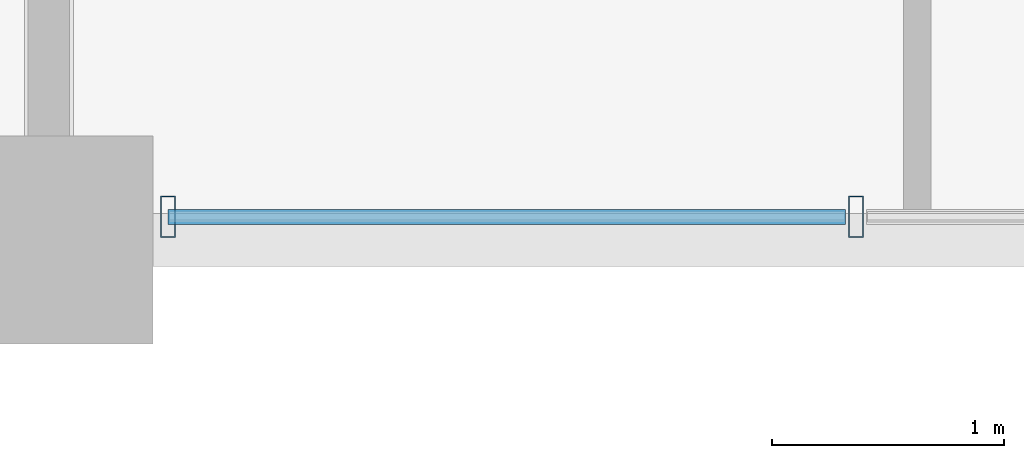
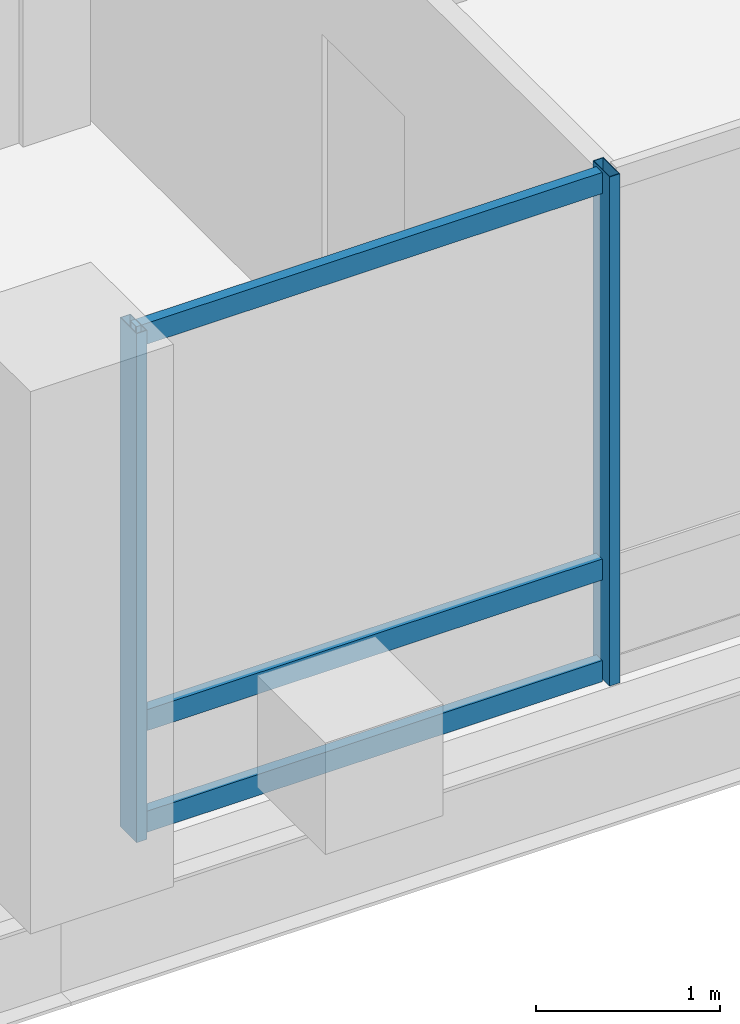
# One storey, part 2 of 21: 5 members, 1 element without a shape of its own.
"""IFC4 building model written with IfcOpenShell, lengths in metres."""

from ifc_helpers import new_model, si_unit, direction, frame, origin, origin_2d, place, context, subcontext, project, spatial, hollow_rectangle, extrude, material, layer, layer_set, material_profile, profile_set, type_object, element, aggregate, save


model = new_model("IFC4")

# Units and contexts
model_context = context("Model", 3, precision=1e-05, world=origin(), true_north=direction((0.0, 1.0)))
body_context = subcontext(model_context, "Body", "Model", "MODEL_VIEW")
ifc_project = project(units=[si_unit("LENGTHUNIT", "METRE"), si_unit("AREAUNIT", "SQUARE_METRE"), si_unit("VOLUMEUNIT", "CUBIC_METRE"), si_unit("PLANEANGLEUNIT", "RADIAN"), si_unit("MASSUNIT", "GRAM", prefix="KILO")], contexts=[model_context])

# Site, building, storey
site_placement = place(None, origin())
site = spatial("IfcSite", under=ifc_project, at=site_placement, CompositionType="ELEMENT")
building_placement = place(site_placement, origin())
building = spatial("IfcBuilding", under=site, at=building_placement, Name="Barlavira Tower and Art Museum", CompositionType="ELEMENT")
storey_placement = place(building_placement, frame((0.0, 0.0, 297.89990234375)))
storey = spatial("IfcBuildingStorey", under=building, at=storey_placement, Name="L78", CompositionType="ELEMENT", Elevation=297.89990234375)

# Curtain wall, members
ifc_material_1 = material(Name="Low-iron coastal laminated glass", Category="glass")
ifc_layer = layer(ifc_material_1, 0.2099609375, Name="Low-iron coastal laminated glass")
ifc_layer_set = layer_set([ifc_layer], Name="Low-iron coastal laminated glass")
curtain_wall_type = type_object("IfcCurtainWallType", Name="Pale-Metal Unitised Curtain Wall Zone 4", PredefinedType="NOTDEFINED", material=ifc_layer_set)
curtain_wall_placement = place(storey_placement, origin())
curtain_wall = element("IfcCurtainWall", 1, at=curtain_wall_placement, inside=storey, type_object=curtain_wall_type, Name="L78 Curtain Wall CW4-L78-S-B2", PredefinedType="NOTDEFINED")
ifc_material_2 = material(Name="Pale anodised aluminium", Category="aluminium")
ifc_material_profile_1 = material_profile(ifc_material_2, hollow_rectangle(XDim=0.06494140625, YDim=0.179931640625, WallThickness=0.00390625, at=origin_2d()), Name="ALU-MULL 65x180x4")
ifc_profile_set_1 = profile_set([ifc_material_profile_1], Name="Pale anodised aluminium")
member_type_1 = type_object("IfcMemberType", Name="Curtain Wall Pale-Metal Mullion 65x180", PredefinedType="MULLION", material=ifc_profile_set_1)
member_1_placement = place(storey_placement, frame((-5.985107421875, -19.89990234375, 0.0), z_axis=(0.0, 0.0, 1.0), x_axis=(1.0, 0.0, 0.0)))
member_1 = element("IfcMember", 2, at=member_1_placement, type_object=member_type_1, Name="CW4-L78-S-B2 Mullion 0", PredefinedType="MULLION", context=body_context, shape_type="SweptSolid", body=[
    extrude(hollow_rectangle(XDim=0.06494140625, YDim=0.179931640625, WallThickness=0.00390625, at=origin_2d()), origin(), (0.0, 0.0, 1.0), 3.380126953125),
])
member_2_placement = place(storey_placement, frame((-3.014892578125, -19.89990234375, 0.0), z_axis=(0.0, 0.0, 1.0), x_axis=(1.0, 0.0, 0.0)))
member_2 = element("IfcMember", 3, at=member_2_placement, type_object=member_type_1, Name="CW4-L78-S-B2 Mullion 1", PredefinedType="MULLION", context=body_context, shape_type="SweptSolid", body=[
    extrude(hollow_rectangle(XDim=0.06494140625, YDim=0.179931640625, WallThickness=0.00390625, at=origin_2d()), origin(), (0.0, 0.0, 1.0), 3.380126953125),
])
ifc_material_profile_2 = material_profile(ifc_material_2, hollow_rectangle(XDim=0.06494140625, YDim=0.139892578125, WallThickness=0.00390625, at=origin_2d()), Name="ALU-TRAN 65x140x4")
ifc_profile_set_2 = profile_set([ifc_material_profile_2], Name="Pale anodised aluminium")
member_type_2 = type_object("IfcMemberType", Name="Curtain Wall Pale-Metal Transom 65x140", PredefinedType="USERDEFINED", material=ifc_profile_set_2)
member_3_placement = place(storey_placement, frame((-5.985107421875, -19.89990234375, 0.070068359375), z_axis=(1.0, 0.0, 0.0), x_axis=(0.0, 1.0, 0.0)))
member_3 = element("IfcMember", 4, at=member_3_placement, type_object=member_type_2, Name="CW4-L78-S-B2 Transom 0.1", ObjectType="TRANSOM", PredefinedType="USERDEFINED", context=body_context, shape_type="SweptSolid", body=[
    extrude(hollow_rectangle(XDim=0.06494140625, YDim=0.139892578125, WallThickness=0.00390625, at=origin_2d()), origin(), (0.0, 0.0, 1.0), 2.925048828125),
])
member_4_placement = place(storey_placement, frame((-5.985107421875, -19.89990234375, 0.744140625), z_axis=(1.0, 0.0, 0.0), x_axis=(0.0, 1.0, 0.0)))
member_4 = element("IfcMember", 5, at=member_4_placement, type_object=member_type_2, Name="CW4-L78-S-B2 Transom 0.2", ObjectType="TRANSOM", PredefinedType="USERDEFINED", context=body_context, shape_type="SweptSolid", body=[
    extrude(hollow_rectangle(XDim=0.06494140625, YDim=0.139892578125, WallThickness=0.00390625, at=origin_2d()), origin(), (0.0, 0.0, 1.0), 2.925048828125),
])
member_5_placement = place(storey_placement, frame((-5.985107421875, -19.89990234375, 3.31005859375), z_axis=(1.0, 0.0, 0.0), x_axis=(0.0, 1.0, 0.0)))
member_5 = element("IfcMember", 6, at=member_5_placement, type_object=member_type_2, Name="CW4-L78-S-B2 Transom 0.3", ObjectType="TRANSOM", PredefinedType="USERDEFINED", context=body_context, shape_type="SweptSolid", body=[
    extrude(hollow_rectangle(XDim=0.06494140625, YDim=0.139892578125, WallThickness=0.00390625, at=origin_2d()), origin(), (0.0, 0.0, 1.0), 2.925048828125),
])
aggregate(curtain_wall, [member_1, member_2, member_3, member_4, member_5])

save(model, "model.ifc")
